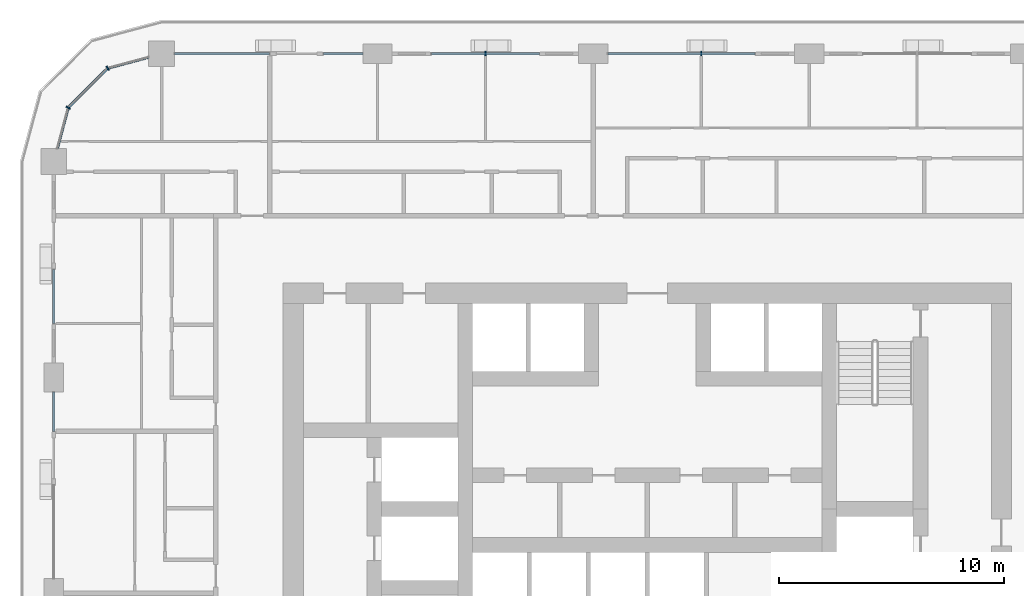
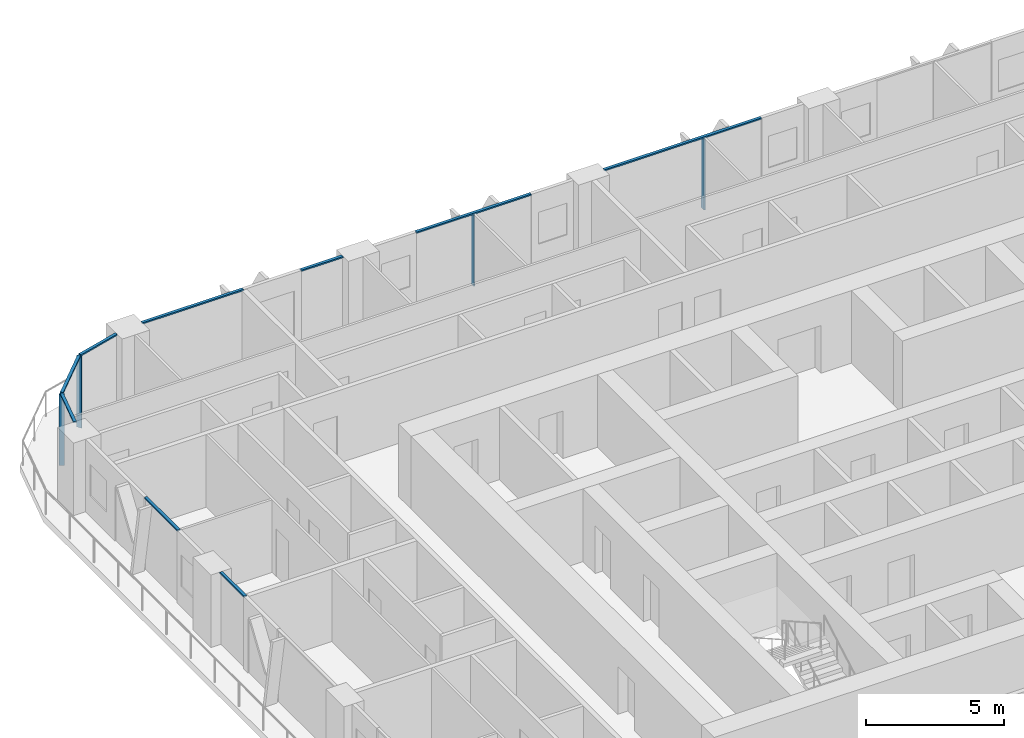
# One storey, part 5 of 22: 13 members, 6 elements without a shape of their own.
"""IFC4 building model written with IfcOpenShell, lengths in metres."""

from ifc_helpers import new_model, si_unit, direction, frame, origin, origin_2d, place, context, subcontext, project, spatial, rectangle, extrude, material, layer, layer_set, material_profile, profile_set, type_object, element, aggregate, save


model = new_model("IFC4")

# Units and contexts
model_context = context("Model", 3, precision=1e-05, world=origin(), true_north=direction((0.0, 1.0)))
body_context = subcontext(model_context, "Body", "Model", "MODEL_VIEW")
ifc_project = project(units=[si_unit("LENGTHUNIT", "METRE"), si_unit("AREAUNIT", "SQUARE_METRE"), si_unit("VOLUMEUNIT", "CUBIC_METRE"), si_unit("PLANEANGLEUNIT", "RADIAN"), si_unit("MASSUNIT", "GRAM", prefix="KILO")], contexts=[model_context])

# Site, building, storey
site_placement = place(None, origin())
site = spatial("IfcSite", under=ifc_project, at=site_placement, CompositionType="ELEMENT")
building_placement = place(site_placement, origin())
building = spatial("IfcBuilding", under=site, at=building_placement, Name="Madar Terraces", CompositionType="ELEMENT")
storey_placement = place(building_placement, frame((0.0, 0.0, 59.300048828125)))
storey = spatial("IfcBuildingStorey", under=building, at=storey_placement, Name="L14", CompositionType="ELEMENT", Elevation=59.300048828125)

# Curtain wall, member
ifc_material_1 = material(Name="Glass, ceramic frit dark grey, with black aluminium frame", Category="aluminium")
ifc_layer = layer(ifc_material_1, 0.199951171875)
ifc_layer_set = layer_set([ifc_layer], Name="Facade curtain wall, fritted glass")
curtain_wall_type = type_object("IfcCurtainWallType", Name="Facade curtain wall, fritted glass", PredefinedType="NOTDEFINED", material=ifc_layer_set)
curtain_wall_1_placement = place(storey_placement, origin())
curtain_wall_1 = element("IfcCurtainWall", 1, at=curtain_wall_1_placement, inside=storey, type_object=curtain_wall_type, Name="Outer skin curtain wall north bay 3", PredefinedType="NOTDEFINED")
ifc_material_2 = material(Name="Aluminium, black anodised", Category="aluminium")
ifc_material_profile_1 = material_profile(ifc_material_2, rectangle(XDim=0.199951171875, YDim=0.06005859375, at=origin_2d()), Name="Facade mullion 60x200")
ifc_profile_set_1 = profile_set([ifc_material_profile_1], Name="Aluminium, black anodised")
member_type_1 = type_object("IfcMemberType", Name="Facade mullion 60x200", PredefinedType="MULLION", material=ifc_profile_set_1)
member_1_placement = place(storey_placement, frame((33.60009765625, 48.0, 0.0), z_axis=(0.0, 0.0, 1.0), x_axis=(0.0, -1.0, 0.0)))
member_1 = element("IfcMember", 2, at=member_1_placement, type_object=member_type_1, Name="Mullion 1", PredefinedType="MULLION", context=body_context, shape_type="SweptSolid", body=[
    extrude(rectangle(XDim=0.199951171875, YDim=0.06005859375, at=origin_2d()), origin(), (0.0, 0.0, 1.0), 3.139892578125),
])

curtain_wall_2_placement = place(storey_placement, origin())
curtain_wall_2 = element("IfcCurtainWall", 3, at=curtain_wall_2_placement, inside=storey, type_object=curtain_wall_type, Name="Outer skin curtain wall north bay 4", PredefinedType="NOTDEFINED")
member_2_placement = place(storey_placement, frame((24.0, 48.0, 0.0), z_axis=(0.0, 0.0, 1.0), x_axis=(0.0, -1.0, 0.0)))
member_2 = element("IfcMember", 4, at=member_2_placement, type_object=member_type_1, Name="Mullion 1", PredefinedType="MULLION", context=body_context, shape_type="SweptSolid", body=[
    extrude(rectangle(XDim=0.199951171875, YDim=0.06005859375, at=origin_2d()), origin(), (0.0, 0.0, 1.0), 3.139892578125),
])

# Curtain wall, members
curtain_wall_3_placement = place(storey_placement, origin())
curtain_wall_3 = element("IfcCurtainWall", 5, at=curtain_wall_3_placement, inside=storey, type_object=curtain_wall_type, Name="Outer skin curtain wall north-west corner", PredefinedType="NOTDEFINED")
member_3_placement = place(storey_placement, frame((7.199951171875, 47.35693359375, 0.0), z_axis=(0.0, 0.0, 1.0), x_axis=(0.499999989586, -0.866025409797, 0.0)))
member_3 = element("IfcMember", 6, at=member_3_placement, type_object=member_type_1, Name="Mullion 1", PredefinedType="MULLION", context=body_context, shape_type="SweptSolid", body=[
    extrude(rectangle(XDim=0.199951171875, YDim=0.06005859375, at=origin_2d()), origin(), (0.0, 0.0, 1.0), 3.139892578125),
])
member_4_placement = place(storey_placement, frame((5.443115234375, 45.60009765625, 0.0), z_axis=(0.0, 0.0, 1.0), x_axis=(0.866025409797, -0.499999989586, 0.0)))
member_4 = element("IfcMember", 7, at=member_4_placement, type_object=member_type_1, Name="Mullion 2", PredefinedType="MULLION", context=body_context, shape_type="SweptSolid", body=[
    extrude(rectangle(XDim=0.199951171875, YDim=0.06005859375, at=origin_2d()), origin(), (0.0, 0.0, 1.0), 3.139892578125),
])

# Member
ifc_material_3 = material(Name="Aluminium, black anodised", Category="aluminium")
ifc_material_profile_2 = material_profile(ifc_material_3, rectangle(XDim=0.1201171875, YDim=0.06005859375, at=origin_2d()), Name="Facade transom 60x120")
ifc_profile_set_2 = profile_set([ifc_material_profile_2], Name="Aluminium, black anodised")
member_type_2 = type_object("IfcMemberType", Name="Facade transom 60x120", PredefinedType="USERDEFINED", material=ifc_profile_set_2)
member_5_placement = place(storey_placement, frame((36.0, 48.0, 3.169921875), z_axis=(-1.0, 0.0, 0.0), x_axis=(0.0, -1.0, 0.0)))
member_5 = element("IfcMember", 8, at=member_5_placement, type_object=member_type_2, Name="Transom 1", ObjectType="TRANSOM", PredefinedType="USERDEFINED", context=body_context, shape_type="SweptSolid", body=[
    extrude(rectangle(XDim=0.1201171875, YDim=0.06005859375, at=origin_2d()), origin(), (0.0, 0.0, 1.0), 6.550048828125),
])

aggregate(curtain_wall_1, [member_1, member_5])

member_6_placement = place(storey_placement, frame((26.39990234375, 48.0, 3.169921875), z_axis=(-1.0, 0.0, 0.0), x_axis=(0.0, -1.0, 0.0)))
member_6 = element("IfcMember", 9, at=member_6_placement, type_object=member_type_2, Name="Transom 1", ObjectType="TRANSOM", PredefinedType="USERDEFINED", context=body_context, shape_type="SweptSolid", body=[
    extrude(rectangle(XDim=0.1201171875, YDim=0.06005859375, at=origin_2d()), origin(), (0.0, 0.0, 1.0), 4.7998046875),
])

aggregate(curtain_wall_2, [member_2, member_6])

# Curtain wall, members
curtain_wall_4_placement = place(storey_placement, origin())
curtain_wall_4 = element("IfcCurtainWall", 10, at=curtain_wall_4_placement, inside=storey, type_object=curtain_wall_type, Name="Outer skin curtain wall north bay 5", PredefinedType="NOTDEFINED")
member_7_placement = place(storey_placement, frame((18.550048828125, 48.0, 3.169921875), z_axis=(-1.0, 0.0, 0.0), x_axis=(0.0, -1.0, 0.0)))
member_7 = element("IfcMember", 11, at=member_7_placement, type_object=member_type_2, Name="Transom 1", ObjectType="TRANSOM", PredefinedType="USERDEFINED", context=body_context, shape_type="SweptSolid", body=[
    extrude(rectangle(XDim=0.1201171875, YDim=0.06005859375, at=origin_2d()), origin(), (0.0, 0.0, 1.0), 1.75),
])
member_8_placement = place(storey_placement, frame((14.39990234375, 48.0, 3.169921875), z_axis=(-1.0, 0.0, 0.0), x_axis=(0.0, -1.0, 0.0)))
member_8 = element("IfcMember", 12, at=member_8_placement, type_object=member_type_2, Name="Transom 2", ObjectType="TRANSOM", PredefinedType="USERDEFINED", context=body_context, shape_type="SweptSolid", body=[
    extrude(rectangle(XDim=0.1201171875, YDim=0.06005859375, at=origin_2d()), origin(), (0.0, 0.0, 1.0), 4.224853515625),
])
aggregate(curtain_wall_4, [member_7, member_8])

# Curtain wall, member
curtain_wall_5_placement = place(storey_placement, origin())
curtain_wall_5 = element("IfcCurtainWall", 13, at=curtain_wall_5_placement, inside=storey, type_object=curtain_wall_type, Name="Outer skin curtain wall west bay 1", PredefinedType="NOTDEFINED")
member_9_placement = place(storey_placement, frame((4.800048828125, 38.39990234375, 3.169921875), z_axis=(0.0, -1.0, 0.0), x_axis=(1.0, 0.0, 0.0)))
member_9 = element("IfcMember", 14, at=member_9_placement, type_object=member_type_2, Name="Transom 1", ObjectType="TRANSOM", PredefinedType="USERDEFINED", context=body_context, shape_type="SweptSolid", body=[
    extrude(rectangle(XDim=0.1201171875, YDim=0.06005859375, at=origin_2d()), origin(), (0.0, 0.0, 1.0), 2.39990234375),
])
aggregate(curtain_wall_5, [member_9])

curtain_wall_6_placement = place(storey_placement, origin())
curtain_wall_6 = element("IfcCurtainWall", 15, at=curtain_wall_6_placement, inside=storey, type_object=curtain_wall_type, Name="Outer skin curtain wall west bay 2", PredefinedType="NOTDEFINED")
member_10_placement = place(storey_placement, frame((4.800048828125, 32.949951171875, 3.169921875), z_axis=(0.0, -1.0, 0.0), x_axis=(1.0, 0.0, 0.0)))
member_10 = element("IfcMember", 16, at=member_10_placement, type_object=member_type_2, Name="Transom 1", ObjectType="TRANSOM", PredefinedType="USERDEFINED", context=body_context, shape_type="SweptSolid", body=[
    extrude(rectangle(XDim=0.1201171875, YDim=0.06005859375, at=origin_2d()), origin(), (0.0, 0.0, 1.0), 1.75),
])
aggregate(curtain_wall_6, [member_10])

# Member
member_11_placement = place(storey_placement, frame((9.02490234375, 47.845947265625, 3.169921875), z_axis=(-0.965926950947, -0.258814847786, 0.0), x_axis=(0.258814847786, -0.965926950947, 0.0)))
member_11 = element("IfcMember", 17, at=member_11_placement, type_object=member_type_2, Name="Transom 1", ObjectType="TRANSOM", PredefinedType="USERDEFINED", context=body_context, shape_type="SweptSolid", body=[
    extrude(rectangle(XDim=0.1201171875, YDim=0.06005859375, at=origin_2d()), origin(), (0.0, 0.0, 1.0), 1.859130859375),
])

member_12_placement = place(storey_placement, frame((7.1787109375, 47.335693359375, 3.169921875), z_axis=(-0.707056433593, -0.707157125196, 0.0), x_axis=(0.707157125196, -0.707056433593, 0.0)))
member_12 = element("IfcMember", 18, at=member_12_placement, type_object=member_type_2, Name="Transom 2", ObjectType="TRANSOM", PredefinedType="USERDEFINED", context=body_context, shape_type="SweptSolid", body=[
    extrude(rectangle(XDim=0.1201171875, YDim=0.06005859375, at=origin_2d()), origin(), (0.0, 0.0, 1.0), 2.424560546875),
])

member_13_placement = place(storey_placement, frame((5.435302734375, 45.571044921875, 3.169921875), z_axis=(-0.258782024434, -0.965935745187, 0.0), x_axis=(0.965935745187, -0.258782024434, 0.0)))
member_13 = element("IfcMember", 19, at=member_13_placement, type_object=member_type_2, Name="Transom 3", ObjectType="TRANSOM", PredefinedType="USERDEFINED", context=body_context, shape_type="SweptSolid", body=[
    extrude(rectangle(XDim=0.1201171875, YDim=0.06005859375, at=origin_2d()), origin(), (0.0, 0.0, 1.0), 1.859375),
])

aggregate(curtain_wall_3, [member_3, member_11, member_4, member_12, member_13])

save(model, "model.ifc")
